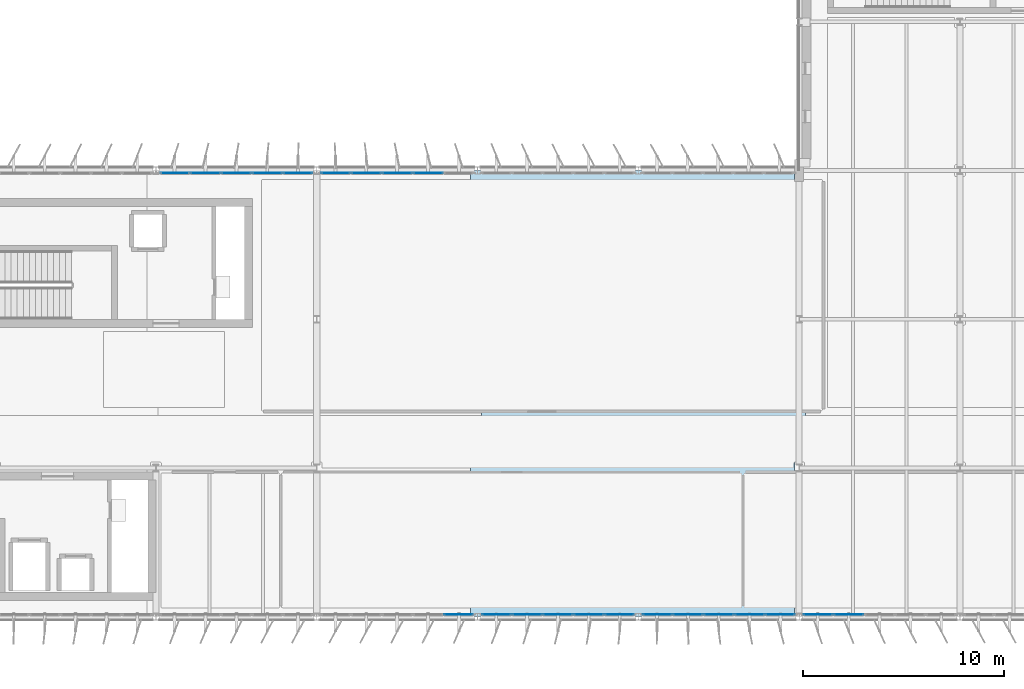
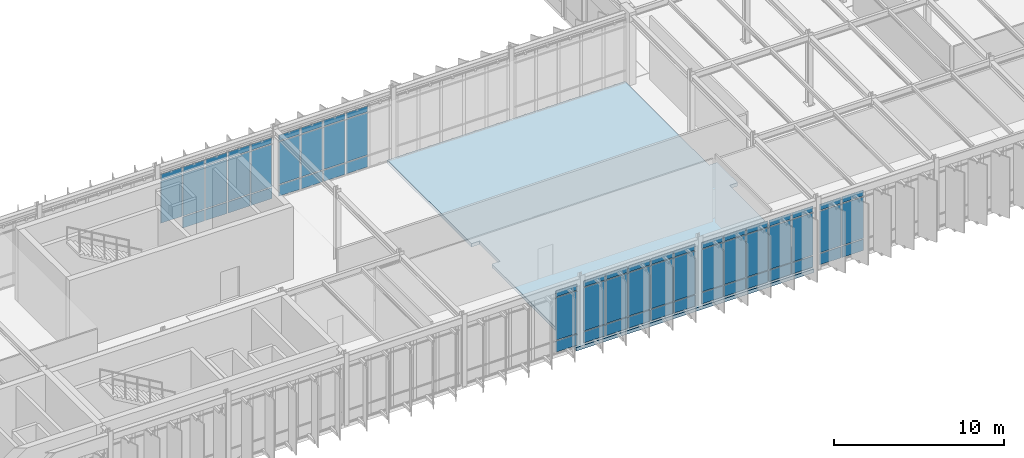
# One storey, part 29 of 48: 65 plates, 1 slab, 6 elements without a shape of their own.
"""IFC4 building model written with IfcOpenShell, lengths in metres."""

from ifc_helpers import new_model, si_unit, direction, frame, origin, origin_2d, place, context, subcontext, project, spatial, polyline, rectangle, outline, extrude, material, layer, layer_set, type_object, element, aggregate, save


model = new_model("IFC4")

# Units and contexts
model_context = context("Model", 3, precision=1e-05, world=origin(), true_north=direction((0.0, 1.0)))
body_context = subcontext(model_context, "Body", "Model", "MODEL_VIEW")
ifc_project = project(units=[si_unit("LENGTHUNIT", "METRE"), si_unit("AREAUNIT", "SQUARE_METRE"), si_unit("VOLUMEUNIT", "CUBIC_METRE"), si_unit("PLANEANGLEUNIT", "RADIAN"), si_unit("MASSUNIT", "GRAM", prefix="KILO")], contexts=[model_context])

# Site, building, storey
site_placement = place(None, origin())
site = spatial("IfcSite", under=ifc_project, at=site_placement, CompositionType="ELEMENT")
building_placement = place(site_placement, origin())
building = spatial("IfcBuilding", under=site, at=building_placement, Name="Valkorina Park Police Headquarters", CompositionType="ELEMENT")
storey_placement = place(building_placement, frame((0.0, 0.0, 18.10009765625)))
storey = spatial("IfcBuildingStorey", under=building, at=storey_placement, Name="L05", CompositionType="ELEMENT", Elevation=18.10009765625)

# Curtain wall, plates
ifc_material_1 = material(Name="Thermally broken aluminium AW-6060", Category="aluminium")
ifc_layer_1 = layer(ifc_material_1, 0.18994140625)
ifc_layer_set_1 = layer_set([ifc_layer_1], Name="Thermally broken aluminium AW-6060")
curtain_wall_type_1 = type_object("IfcCurtainWallType", Name="CW-V5-7680x4470", PredefinedType="NOTDEFINED", material=ifc_layer_set_1)
curtain_wall_1_placement = place(storey_placement, origin())
curtain_wall_1 = element("IfcCurtainWall", 1, at=curtain_wall_1_placement, inside=storey, type_object=curtain_wall_type_1, Name="L05 Unitised Curtain Wall 064", PredefinedType="NOTDEFINED")
ifc_layer_2 = layer(ifc_material_1, 0.050048828125)
ifc_layer_set_2 = layer_set([ifc_layer_2], Name="Thermally broken aluminium AW-6060")
plate_type_1 = type_object("IfcPlateType", Name="PL-CWP-SPANDREL-50", PredefinedType="CURTAIN_PANEL", material=ifc_layer_set_2)
plate_1_placement = place(storey_placement, frame((83.263916015625, 37.1201171875, 0.06982421875), z_axis=(0.0, 0.0, 1.0), x_axis=(-1.0, 0.0, 0.0)))
plate_1 = element("IfcPlate", 2, at=plate_1_placement, type_object=plate_type_1, Name="CW-V5-768-447 panel 4.1", PredefinedType="CURTAIN_PANEL", context=body_context, shape_type="SweptSolid", body=[
    extrude(rectangle(XDim=1.466064453125, YDim=0.028076171875, at=origin_2d()), origin(), (0.0, 0.0, 1.0), 0.794921875),
])
plate_2_placement = place(storey_placement, frame((81.74560546875, 37.1201171875, 0.06982421875), z_axis=(0.0, 0.0, 1.0), x_axis=(-1.0, 0.0, 0.0)))
plate_2 = element("IfcPlate", 3, at=plate_2_placement, type_object=plate_type_1, Name="CW-V5-768-447 panel 5.1", PredefinedType="CURTAIN_PANEL", context=body_context, shape_type="SweptSolid", body=[
    extrude(rectangle(XDim=1.430908203125, YDim=0.028076171875, at=origin_2d()), origin(), (0.0, 0.0, 1.0), 0.794921875),
])

ifc_layer_3 = layer(ifc_material_1, 0.18994140625)
ifc_layer_set_3 = layer_set([ifc_layer_3], Name="Thermally broken aluminium AW-6060")
curtain_wall_type_2 = type_object("IfcCurtainWallType", Name="CW-V5-7680x4520", PredefinedType="NOTDEFINED", material=ifc_layer_set_3)
curtain_wall_2_placement = place(storey_placement, origin())
curtain_wall_2 = element("IfcCurtainWall", 4, at=curtain_wall_2_placement, inside=storey, type_object=curtain_wall_type_2, Name="L05 Unitised Curtain Wall 065", PredefinedType="NOTDEFINED")
plate_3_placement = place(storey_placement, frame((79.8544921875, 37.1201171875, 0.06982421875), z_axis=(0.0, 0.0, 1.0), x_axis=(-1.0, 0.0, 0.0)))
plate_3 = element("IfcPlate", 5, at=plate_3_placement, type_object=plate_type_1, Name="CW-V5-768-452 panel 1.1", PredefinedType="CURTAIN_PANEL", context=body_context, shape_type="SweptSolid", body=[
    extrude(rectangle(XDim=1.430908203125, YDim=0.028076171875, at=origin_2d()), origin(), (0.0, 0.0, 1.0), 0.794921875),
])
plate_4_placement = place(storey_placement, frame((78.3359375, 37.1201171875, 0.06982421875), z_axis=(0.0, 0.0, 1.0), x_axis=(-1.0, 0.0, 0.0)))
plate_4 = element("IfcPlate", 6, at=plate_4_placement, type_object=plate_type_1, Name="CW-V5-768-452 panel 2.1", PredefinedType="CURTAIN_PANEL", context=body_context, shape_type="SweptSolid", body=[
    extrude(rectangle(XDim=1.466064453125, YDim=0.028076171875, at=origin_2d()), origin(), (0.0, 0.0, 1.0), 0.794921875),
])
plate_5_placement = place(storey_placement, frame((76.800048828125, 37.1201171875, 0.06982421875), z_axis=(0.0, 0.0, 1.0), x_axis=(-1.0, 0.0, 0.0)))
plate_5 = element("IfcPlate", 7, at=plate_5_placement, type_object=plate_type_1, Name="CW-V5-768-452 panel 3.1", PredefinedType="CURTAIN_PANEL", context=body_context, shape_type="SweptSolid", body=[
    extrude(rectangle(XDim=1.466064453125, YDim=0.028076171875, at=origin_2d()), origin(), (0.0, 0.0, 1.0), 0.794921875),
])
plate_6_placement = place(storey_placement, frame((75.263916015625, 37.1201171875, 0.06982421875), z_axis=(0.0, 0.0, 1.0), x_axis=(-1.0, 0.0, 0.0)))
plate_6 = element("IfcPlate", 8, at=plate_6_placement, type_object=plate_type_1, Name="CW-V5-768-452 panel 4.1", PredefinedType="CURTAIN_PANEL", context=body_context, shape_type="SweptSolid", body=[
    extrude(rectangle(XDim=1.466064453125, YDim=0.028076171875, at=origin_2d()), origin(), (0.0, 0.0, 1.0), 0.794921875),
])
plate_7_placement = place(storey_placement, frame((73.74560546875, 37.1201171875, 0.06982421875), z_axis=(0.0, 0.0, 1.0), x_axis=(-1.0, 0.0, 0.0)))
plate_7 = element("IfcPlate", 9, at=plate_7_placement, type_object=plate_type_1, Name="CW-V5-768-452 panel 5.1", PredefinedType="CURTAIN_PANEL", context=body_context, shape_type="SweptSolid", body=[
    extrude(rectangle(XDim=1.430908203125, YDim=0.028076171875, at=origin_2d()), origin(), (0.0, 0.0, 1.0), 0.794921875),
])

ifc_layer_4 = layer(ifc_material_1, 0.18994140625)
ifc_layer_set_4 = layer_set([ifc_layer_4], Name="Thermally broken aluminium AW-6060")
curtain_wall_type_3 = type_object("IfcCurtainWallType", Name="CW-V5-7680x4580", PredefinedType="NOTDEFINED", material=ifc_layer_set_4)
curtain_wall_3_placement = place(storey_placement, origin())
curtain_wall_3 = element("IfcCurtainWall", 10, at=curtain_wall_3_placement, inside=storey, type_object=curtain_wall_type_3, Name="L05 Unitised Curtain Wall 066", PredefinedType="NOTDEFINED")
plate_8_placement = place(storey_placement, frame((71.8544921875, 37.1201171875, 0.06982421875), z_axis=(0.0, 0.0, 1.0), x_axis=(-1.0, 0.0, 0.0)))
plate_8 = element("IfcPlate", 11, at=plate_8_placement, type_object=plate_type_1, Name="CW-V5-768-458 panel 1.1", PredefinedType="CURTAIN_PANEL", context=body_context, shape_type="SweptSolid", body=[
    extrude(rectangle(XDim=1.430908203125, YDim=0.028076171875, at=origin_2d()), origin(), (0.0, 0.0, 1.0), 0.794921875),
])
plate_9_placement = place(storey_placement, frame((70.3359375, 37.1201171875, 0.06982421875), z_axis=(0.0, 0.0, 1.0), x_axis=(-1.0, 0.0, 0.0)))
plate_9 = element("IfcPlate", 12, at=plate_9_placement, type_object=plate_type_1, Name="CW-V5-768-458 panel 2.1", PredefinedType="CURTAIN_PANEL", context=body_context, shape_type="SweptSolid", body=[
    extrude(rectangle(XDim=1.466064453125, YDim=0.028076171875, at=origin_2d()), origin(), (0.0, 0.0, 1.0), 0.794921875),
])
plate_10_placement = place(storey_placement, frame((68.800048828125, 37.1201171875, 0.06982421875), z_axis=(0.0, 0.0, 1.0), x_axis=(-1.0, 0.0, 0.0)))
plate_10 = element("IfcPlate", 13, at=plate_10_placement, type_object=plate_type_1, Name="CW-V5-768-458 panel 3.1", PredefinedType="CURTAIN_PANEL", context=body_context, shape_type="SweptSolid", body=[
    extrude(rectangle(XDim=1.466064453125, YDim=0.028076171875, at=origin_2d()), origin(), (0.0, 0.0, 1.0), 0.794921875),
])
plate_11_placement = place(storey_placement, frame((67.263916015625, 37.1201171875, 0.06982421875), z_axis=(0.0, 0.0, 1.0), x_axis=(-1.0, 0.0, 0.0)))
plate_11 = element("IfcPlate", 14, at=plate_11_placement, type_object=plate_type_1, Name="CW-V5-768-458 panel 4.1", PredefinedType="CURTAIN_PANEL", context=body_context, shape_type="SweptSolid", body=[
    extrude(rectangle(XDim=1.466064453125, YDim=0.028076171875, at=origin_2d()), origin(), (0.0, 0.0, 1.0), 0.794921875),
])
plate_12_placement = place(storey_placement, frame((65.74560546875, 37.1201171875, 0.06982421875), z_axis=(0.0, 0.0, 1.0), x_axis=(-1.0, 0.0, 0.0)))
plate_12 = element("IfcPlate", 15, at=plate_12_placement, type_object=plate_type_1, Name="CW-V5-768-458 panel 5.1", PredefinedType="CURTAIN_PANEL", context=body_context, shape_type="SweptSolid", body=[
    extrude(rectangle(XDim=1.430908203125, YDim=0.028076171875, at=origin_2d()), origin(), (0.0, 0.0, 1.0), 0.794921875),
])

# Curtain wall, plate
curtain_wall_4_placement = place(storey_placement, origin())
curtain_wall_4 = element("IfcCurtainWall", 16, at=curtain_wall_4_placement, inside=storey, type_object=curtain_wall_type_2, Name="L05 Unitised Curtain Wall 067", PredefinedType="NOTDEFINED")
plate_13_placement = place(storey_placement, frame((63.8544921875, 37.1201171875, 0.06982421875), z_axis=(0.0, 0.0, 1.0), x_axis=(-1.0, 0.0, 0.0)))
plate_13 = element("IfcPlate", 17, at=plate_13_placement, type_object=plate_type_1, Name="CW-V5-768-452 panel 1.1", PredefinedType="CURTAIN_PANEL", context=body_context, shape_type="SweptSolid", body=[
    extrude(rectangle(XDim=1.430908203125, YDim=0.028076171875, at=origin_2d()), origin(), (0.0, 0.0, 1.0), 0.794921875),
])

# Curtain wall, plates
curtain_wall_5_placement = place(storey_placement, origin())
curtain_wall_5 = element("IfcCurtainWall", 18, at=curtain_wall_5_placement, inside=storey, type_object=curtain_wall_type_2, Name="L05 Unitised Curtain Wall 084", PredefinedType="NOTDEFINED")
plate_14_placement = place(storey_placement, frame((51.263916015625, 59.080078125, 0.06982421875), z_axis=(0.0, 0.0, 1.0), x_axis=(1.0, 0.0, 0.0)))
plate_14 = element("IfcPlate", 19, at=plate_14_placement, type_object=plate_type_1, Name="CW-V5-768-452 panel 2.1", PredefinedType="CURTAIN_PANEL", context=body_context, shape_type="SweptSolid", body=[
    extrude(rectangle(XDim=1.466064453125, YDim=0.028076171875, at=origin_2d()), origin(), (0.0, 0.0, 1.0), 0.794921875),
])
plate_15_placement = place(storey_placement, frame((52.800048828125, 59.080078125, 0.06982421875), z_axis=(0.0, 0.0, 1.0), x_axis=(1.0, 0.0, 0.0)))
plate_15 = element("IfcPlate", 20, at=plate_15_placement, type_object=plate_type_1, Name="CW-V5-768-452 panel 3.1", PredefinedType="CURTAIN_PANEL", context=body_context, shape_type="SweptSolid", body=[
    extrude(rectangle(XDim=1.466064453125, YDim=0.028076171875, at=origin_2d()), origin(), (0.0, 0.0, 1.0), 0.794921875),
])
plate_16_placement = place(storey_placement, frame((54.3359375, 59.080078125, 0.06982421875), z_axis=(0.0, 0.0, 1.0), x_axis=(1.0, 0.0, 0.0)))
plate_16 = element("IfcPlate", 21, at=plate_16_placement, type_object=plate_type_1, Name="CW-V5-768-452 panel 4.1", PredefinedType="CURTAIN_PANEL", context=body_context, shape_type="SweptSolid", body=[
    extrude(rectangle(XDim=1.466064453125, YDim=0.028076171875, at=origin_2d()), origin(), (0.0, 0.0, 1.0), 0.794921875),
])
plate_17_placement = place(storey_placement, frame((55.8544921875, 59.080078125, 0.06982421875), z_axis=(0.0, 0.0, 1.0), x_axis=(1.0, 0.0, 0.0)))
plate_17 = element("IfcPlate", 22, at=plate_17_placement, type_object=plate_type_1, Name="CW-V5-768-452 panel 5.1", PredefinedType="CURTAIN_PANEL", context=body_context, shape_type="SweptSolid", body=[
    extrude(rectangle(XDim=1.430908203125, YDim=0.028076171875, at=origin_2d()), origin(), (0.0, 0.0, 1.0), 0.794921875),
])

curtain_wall_6_placement = place(storey_placement, origin())
curtain_wall_6 = element("IfcCurtainWall", 23, at=curtain_wall_6_placement, inside=storey, type_object=curtain_wall_type_2, Name="L05 Unitised Curtain Wall 085", PredefinedType="NOTDEFINED")
plate_18_placement = place(storey_placement, frame((57.74560546875, 59.080078125, 0.06982421875), z_axis=(0.0, 0.0, 1.0), x_axis=(1.0, 0.0, 0.0)))
plate_18 = element("IfcPlate", 24, at=plate_18_placement, type_object=plate_type_1, Name="CW-V5-768-452 panel 1.1", PredefinedType="CURTAIN_PANEL", context=body_context, shape_type="SweptSolid", body=[
    extrude(rectangle(XDim=1.430908203125, YDim=0.028076171875, at=origin_2d()), origin(), (0.0, 0.0, 1.0), 0.794921875),
])
plate_19_placement = place(storey_placement, frame((59.263916015625, 59.080078125, 0.06982421875), z_axis=(0.0, 0.0, 1.0), x_axis=(1.0, 0.0, 0.0)))
plate_19 = element("IfcPlate", 25, at=plate_19_placement, type_object=plate_type_1, Name="CW-V5-768-452 panel 2.1", PredefinedType="CURTAIN_PANEL", context=body_context, shape_type="SweptSolid", body=[
    extrude(rectangle(XDim=1.466064453125, YDim=0.028076171875, at=origin_2d()), origin(), (0.0, 0.0, 1.0), 0.794921875),
])
plate_20_placement = place(storey_placement, frame((60.800048828125, 59.080078125, 0.06982421875), z_axis=(0.0, 0.0, 1.0), x_axis=(1.0, 0.0, 0.0)))
plate_20 = element("IfcPlate", 26, at=plate_20_placement, type_object=plate_type_1, Name="CW-V5-768-452 panel 3.1", PredefinedType="CURTAIN_PANEL", context=body_context, shape_type="SweptSolid", body=[
    extrude(rectangle(XDim=1.466064453125, YDim=0.028076171875, at=origin_2d()), origin(), (0.0, 0.0, 1.0), 0.794921875),
])
plate_21_placement = place(storey_placement, frame((62.3359375, 59.080078125, 0.06982421875), z_axis=(0.0, 0.0, 1.0), x_axis=(1.0, 0.0, 0.0)))
plate_21 = element("IfcPlate", 27, at=plate_21_placement, type_object=plate_type_1, Name="CW-V5-768-452 panel 4.1", PredefinedType="CURTAIN_PANEL", context=body_context, shape_type="SweptSolid", body=[
    extrude(rectangle(XDim=1.466064453125, YDim=0.028076171875, at=origin_2d()), origin(), (0.0, 0.0, 1.0), 0.794921875),
])

# Plate
ifc_material_2 = material(Name="Triple low-E insulated glazing", Category="glass")
ifc_layer_5 = layer(ifc_material_2, 0.028076171875)
ifc_layer_set_5 = layer_set([ifc_layer_5], Name="Triple low-E insulated glazing")
plate_type_2 = type_object("IfcPlateType", Name="PL-CWP-VISION-28", PredefinedType="CURTAIN_PANEL", material=ifc_layer_set_5)
plate_22_placement = place(storey_placement, frame((83.263916015625, 37.1201171875, 0.934814453125), z_axis=(0.0, 0.0, 1.0), x_axis=(-1.0, 0.0, 0.0)))
plate_22 = element("IfcPlate", 28, at=plate_22_placement, type_object=plate_type_2, Name="CW-V5-768-447 panel 4.2", PredefinedType="CURTAIN_PANEL", context=body_context, shape_type="SweptSolid", body=[
    extrude(rectangle(XDim=1.466064453125, YDim=0.028076171875, at=origin_2d()), origin(), (0.0, 0.0, 1.0), 2.97998046875),
])

plate_23_placement = place(storey_placement, frame((83.263916015625, 37.1201171875, 3.98486328125), z_axis=(0.0, 0.0, 1.0), x_axis=(-1.0, 0.0, 0.0)))
plate_23 = element("IfcPlate", 29, at=plate_23_placement, type_object=plate_type_2, Name="CW-V5-768-447 panel 4.3", PredefinedType="CURTAIN_PANEL", context=body_context, shape_type="SweptSolid", body=[
    extrude(rectangle(XDim=1.466064453125, YDim=0.028076171875, at=origin_2d()), origin(), (0.0, 0.0, 1.0), 0.4150390625),
])

plate_24_placement = place(storey_placement, frame((81.74560546875, 37.1201171875, 0.934814453125), z_axis=(0.0, 0.0, 1.0), x_axis=(-1.0, 0.0, 0.0)))
plate_24 = element("IfcPlate", 30, at=plate_24_placement, type_object=plate_type_2, Name="CW-V5-768-447 panel 5.2", PredefinedType="CURTAIN_PANEL", context=body_context, shape_type="SweptSolid", body=[
    extrude(rectangle(XDim=1.430908203125, YDim=0.028076171875, at=origin_2d()), origin(), (0.0, 0.0, 1.0), 2.97998046875),
])

plate_25_placement = place(storey_placement, frame((81.74560546875, 37.1201171875, 3.98486328125), z_axis=(0.0, 0.0, 1.0), x_axis=(-1.0, 0.0, 0.0)))
plate_25 = element("IfcPlate", 31, at=plate_25_placement, type_object=plate_type_2, Name="CW-V5-768-447 panel 5.3", PredefinedType="CURTAIN_PANEL", context=body_context, shape_type="SweptSolid", body=[
    extrude(rectangle(XDim=1.430908203125, YDim=0.028076171875, at=origin_2d()), origin(), (0.0, 0.0, 1.0), 0.4150390625),
])

aggregate(curtain_wall_1, [plate_1, plate_22, plate_23, plate_2, plate_24, plate_25])

plate_26_placement = place(storey_placement, frame((79.8544921875, 37.1201171875, 0.93505859375), z_axis=(0.0, 0.0, 1.0), x_axis=(-1.0, 0.0, 0.0)))
plate_26 = element("IfcPlate", 32, at=plate_26_placement, type_object=plate_type_2, Name="CW-V5-768-452 panel 1.2", PredefinedType="CURTAIN_PANEL", context=body_context, shape_type="SweptSolid", body=[
    extrude(rectangle(XDim=1.430908203125, YDim=0.028076171875, at=origin_2d()), origin(), (0.0, 0.0, 1.0), 3.030029296875),
])

plate_27_placement = place(storey_placement, frame((79.8544921875, 37.1201171875, 4.034912109375), z_axis=(0.0, 0.0, 1.0), x_axis=(-1.0, 0.0, 0.0)))
plate_27 = element("IfcPlate", 33, at=plate_27_placement, type_object=plate_type_2, Name="CW-V5-768-452 panel 1.3", PredefinedType="CURTAIN_PANEL", context=body_context, shape_type="SweptSolid", body=[
    extrude(rectangle(XDim=1.430908203125, YDim=0.028076171875, at=origin_2d()), origin(), (0.0, 0.0, 1.0), 0.4150390625),
])

plate_28_placement = place(storey_placement, frame((78.3359375, 37.1201171875, 0.93505859375), z_axis=(0.0, 0.0, 1.0), x_axis=(-1.0, 0.0, 0.0)))
plate_28 = element("IfcPlate", 34, at=plate_28_placement, type_object=plate_type_2, Name="CW-V5-768-452 panel 2.2", PredefinedType="CURTAIN_PANEL", context=body_context, shape_type="SweptSolid", body=[
    extrude(rectangle(XDim=1.466064453125, YDim=0.028076171875, at=origin_2d()), origin(), (0.0, 0.0, 1.0), 3.030029296875),
])

plate_29_placement = place(storey_placement, frame((78.3359375, 37.1201171875, 4.034912109375), z_axis=(0.0, 0.0, 1.0), x_axis=(-1.0, 0.0, 0.0)))
plate_29 = element("IfcPlate", 35, at=plate_29_placement, type_object=plate_type_2, Name="CW-V5-768-452 panel 2.3", PredefinedType="CURTAIN_PANEL", context=body_context, shape_type="SweptSolid", body=[
    extrude(rectangle(XDim=1.466064453125, YDim=0.028076171875, at=origin_2d()), origin(), (0.0, 0.0, 1.0), 0.4150390625),
])

plate_30_placement = place(storey_placement, frame((76.800048828125, 37.1201171875, 0.93505859375), z_axis=(0.0, 0.0, 1.0), x_axis=(-1.0, 0.0, 0.0)))
plate_30 = element("IfcPlate", 36, at=plate_30_placement, type_object=plate_type_2, Name="CW-V5-768-452 panel 3.2", PredefinedType="CURTAIN_PANEL", context=body_context, shape_type="SweptSolid", body=[
    extrude(rectangle(XDim=1.466064453125, YDim=0.028076171875, at=origin_2d()), origin(), (0.0, 0.0, 1.0), 3.030029296875),
])

plate_31_placement = place(storey_placement, frame((76.800048828125, 37.1201171875, 4.034912109375), z_axis=(0.0, 0.0, 1.0), x_axis=(-1.0, 0.0, 0.0)))
plate_31 = element("IfcPlate", 37, at=plate_31_placement, type_object=plate_type_2, Name="CW-V5-768-452 panel 3.3", PredefinedType="CURTAIN_PANEL", context=body_context, shape_type="SweptSolid", body=[
    extrude(rectangle(XDim=1.466064453125, YDim=0.028076171875, at=origin_2d()), origin(), (0.0, 0.0, 1.0), 0.4150390625),
])

plate_32_placement = place(storey_placement, frame((75.263916015625, 37.1201171875, 0.93505859375), z_axis=(0.0, 0.0, 1.0), x_axis=(-1.0, 0.0, 0.0)))
plate_32 = element("IfcPlate", 38, at=plate_32_placement, type_object=plate_type_2, Name="CW-V5-768-452 panel 4.2", PredefinedType="CURTAIN_PANEL", context=body_context, shape_type="SweptSolid", body=[
    extrude(rectangle(XDim=1.466064453125, YDim=0.028076171875, at=origin_2d()), origin(), (0.0, 0.0, 1.0), 3.030029296875),
])

plate_33_placement = place(storey_placement, frame((75.263916015625, 37.1201171875, 4.034912109375), z_axis=(0.0, 0.0, 1.0), x_axis=(-1.0, 0.0, 0.0)))
plate_33 = element("IfcPlate", 39, at=plate_33_placement, type_object=plate_type_2, Name="CW-V5-768-452 panel 4.3", PredefinedType="CURTAIN_PANEL", context=body_context, shape_type="SweptSolid", body=[
    extrude(rectangle(XDim=1.466064453125, YDim=0.028076171875, at=origin_2d()), origin(), (0.0, 0.0, 1.0), 0.4150390625),
])

plate_34_placement = place(storey_placement, frame((73.74560546875, 37.1201171875, 0.93505859375), z_axis=(0.0, 0.0, 1.0), x_axis=(-1.0, 0.0, 0.0)))
plate_34 = element("IfcPlate", 40, at=plate_34_placement, type_object=plate_type_2, Name="CW-V5-768-452 panel 5.2", PredefinedType="CURTAIN_PANEL", context=body_context, shape_type="SweptSolid", body=[
    extrude(rectangle(XDim=1.430908203125, YDim=0.028076171875, at=origin_2d()), origin(), (0.0, 0.0, 1.0), 3.030029296875),
])

plate_35_placement = place(storey_placement, frame((73.74560546875, 37.1201171875, 4.034912109375), z_axis=(0.0, 0.0, 1.0), x_axis=(-1.0, 0.0, 0.0)))
plate_35 = element("IfcPlate", 41, at=plate_35_placement, type_object=plate_type_2, Name="CW-V5-768-452 panel 5.3", PredefinedType="CURTAIN_PANEL", context=body_context, shape_type="SweptSolid", body=[
    extrude(rectangle(XDim=1.430908203125, YDim=0.028076171875, at=origin_2d()), origin(), (0.0, 0.0, 1.0), 0.4150390625),
])

aggregate(curtain_wall_2, [plate_3, plate_26, plate_27, plate_4, plate_28, plate_29, plate_5, plate_30, plate_31, plate_6, plate_32, plate_33, plate_7, plate_34, plate_35])

plate_36_placement = place(storey_placement, frame((71.8544921875, 37.1201171875, 0.93505859375), z_axis=(0.0, 0.0, 1.0), x_axis=(-1.0, 0.0, 0.0)))
plate_36 = element("IfcPlate", 42, at=plate_36_placement, type_object=plate_type_2, Name="CW-V5-768-458 panel 1.2", PredefinedType="CURTAIN_PANEL", context=body_context, shape_type="SweptSolid", body=[
    extrude(rectangle(XDim=1.430908203125, YDim=0.028076171875, at=origin_2d()), origin(), (0.0, 0.0, 1.0), 3.090087890625),
])

plate_37_placement = place(storey_placement, frame((71.8544921875, 37.1201171875, 4.094970703125), z_axis=(0.0, 0.0, 1.0), x_axis=(-1.0, 0.0, 0.0)))
plate_37 = element("IfcPlate", 43, at=plate_37_placement, type_object=plate_type_2, Name="CW-V5-768-458 panel 1.3", PredefinedType="CURTAIN_PANEL", context=body_context, shape_type="SweptSolid", body=[
    extrude(rectangle(XDim=1.430908203125, YDim=0.028076171875, at=origin_2d()), origin(), (0.0, 0.0, 1.0), 0.4150390625),
])

plate_38_placement = place(storey_placement, frame((70.3359375, 37.1201171875, 0.93505859375), z_axis=(0.0, 0.0, 1.0), x_axis=(-1.0, 0.0, 0.0)))
plate_38 = element("IfcPlate", 44, at=plate_38_placement, type_object=plate_type_2, Name="CW-V5-768-458 panel 2.2", PredefinedType="CURTAIN_PANEL", context=body_context, shape_type="SweptSolid", body=[
    extrude(rectangle(XDim=1.466064453125, YDim=0.028076171875, at=origin_2d()), origin(), (0.0, 0.0, 1.0), 3.090087890625),
])

plate_39_placement = place(storey_placement, frame((70.3359375, 37.1201171875, 4.094970703125), z_axis=(0.0, 0.0, 1.0), x_axis=(-1.0, 0.0, 0.0)))
plate_39 = element("IfcPlate", 45, at=plate_39_placement, type_object=plate_type_2, Name="CW-V5-768-458 panel 2.3", PredefinedType="CURTAIN_PANEL", context=body_context, shape_type="SweptSolid", body=[
    extrude(rectangle(XDim=1.466064453125, YDim=0.028076171875, at=origin_2d()), origin(), (0.0, 0.0, 1.0), 0.4150390625),
])

plate_40_placement = place(storey_placement, frame((68.800048828125, 37.1201171875, 0.93505859375), z_axis=(0.0, 0.0, 1.0), x_axis=(-1.0, 0.0, 0.0)))
plate_40 = element("IfcPlate", 46, at=plate_40_placement, type_object=plate_type_2, Name="CW-V5-768-458 panel 3.2", PredefinedType="CURTAIN_PANEL", context=body_context, shape_type="SweptSolid", body=[
    extrude(rectangle(XDim=1.466064453125, YDim=0.028076171875, at=origin_2d()), origin(), (0.0, 0.0, 1.0), 3.090087890625),
])

plate_41_placement = place(storey_placement, frame((68.800048828125, 37.1201171875, 4.094970703125), z_axis=(0.0, 0.0, 1.0), x_axis=(-1.0, 0.0, 0.0)))
plate_41 = element("IfcPlate", 47, at=plate_41_placement, type_object=plate_type_2, Name="CW-V5-768-458 panel 3.3", PredefinedType="CURTAIN_PANEL", context=body_context, shape_type="SweptSolid", body=[
    extrude(rectangle(XDim=1.466064453125, YDim=0.028076171875, at=origin_2d()), origin(), (0.0, 0.0, 1.0), 0.4150390625),
])

plate_42_placement = place(storey_placement, frame((67.263916015625, 37.1201171875, 0.93505859375), z_axis=(0.0, 0.0, 1.0), x_axis=(-1.0, 0.0, 0.0)))
plate_42 = element("IfcPlate", 48, at=plate_42_placement, type_object=plate_type_2, Name="CW-V5-768-458 panel 4.2", PredefinedType="CURTAIN_PANEL", context=body_context, shape_type="SweptSolid", body=[
    extrude(rectangle(XDim=1.466064453125, YDim=0.028076171875, at=origin_2d()), origin(), (0.0, 0.0, 1.0), 3.090087890625),
])

plate_43_placement = place(storey_placement, frame((67.263916015625, 37.1201171875, 4.094970703125), z_axis=(0.0, 0.0, 1.0), x_axis=(-1.0, 0.0, 0.0)))
plate_43 = element("IfcPlate", 49, at=plate_43_placement, type_object=plate_type_2, Name="CW-V5-768-458 panel 4.3", PredefinedType="CURTAIN_PANEL", context=body_context, shape_type="SweptSolid", body=[
    extrude(rectangle(XDim=1.466064453125, YDim=0.028076171875, at=origin_2d()), origin(), (0.0, 0.0, 1.0), 0.4150390625),
])

plate_44_placement = place(storey_placement, frame((65.74560546875, 37.1201171875, 0.93505859375), z_axis=(0.0, 0.0, 1.0), x_axis=(-1.0, 0.0, 0.0)))
plate_44 = element("IfcPlate", 50, at=plate_44_placement, type_object=plate_type_2, Name="CW-V5-768-458 panel 5.2", PredefinedType="CURTAIN_PANEL", context=body_context, shape_type="SweptSolid", body=[
    extrude(rectangle(XDim=1.430908203125, YDim=0.028076171875, at=origin_2d()), origin(), (0.0, 0.0, 1.0), 3.090087890625),
])

plate_45_placement = place(storey_placement, frame((65.74560546875, 37.1201171875, 4.094970703125), z_axis=(0.0, 0.0, 1.0), x_axis=(-1.0, 0.0, 0.0)))
plate_45 = element("IfcPlate", 51, at=plate_45_placement, type_object=plate_type_2, Name="CW-V5-768-458 panel 5.3", PredefinedType="CURTAIN_PANEL", context=body_context, shape_type="SweptSolid", body=[
    extrude(rectangle(XDim=1.430908203125, YDim=0.028076171875, at=origin_2d()), origin(), (0.0, 0.0, 1.0), 0.4150390625),
])

aggregate(curtain_wall_3, [plate_8, plate_36, plate_37, plate_9, plate_38, plate_39, plate_10, plate_40, plate_41, plate_11, plate_42, plate_43, plate_12, plate_44, plate_45])

plate_46_placement = place(storey_placement, frame((63.8544921875, 37.1201171875, 0.93505859375), z_axis=(0.0, 0.0, 1.0), x_axis=(-1.0, 0.0, 0.0)))
plate_46 = element("IfcPlate", 52, at=plate_46_placement, type_object=plate_type_2, Name="CW-V5-768-452 panel 1.2", PredefinedType="CURTAIN_PANEL", context=body_context, shape_type="SweptSolid", body=[
    extrude(rectangle(XDim=1.430908203125, YDim=0.028076171875, at=origin_2d()), origin(), (0.0, 0.0, 1.0), 3.030029296875),
])

plate_47_placement = place(storey_placement, frame((63.8544921875, 37.1201171875, 4.034912109375), z_axis=(0.0, 0.0, 1.0), x_axis=(-1.0, 0.0, 0.0)))
plate_47 = element("IfcPlate", 53, at=plate_47_placement, type_object=plate_type_2, Name="CW-V5-768-452 panel 1.3", PredefinedType="CURTAIN_PANEL", context=body_context, shape_type="SweptSolid", body=[
    extrude(rectangle(XDim=1.430908203125, YDim=0.028076171875, at=origin_2d()), origin(), (0.0, 0.0, 1.0), 0.4150390625),
])

aggregate(curtain_wall_4, [plate_13, plate_46, plate_47])

plate_48_placement = place(storey_placement, frame((49.74560546875, 59.080078125, 0.93505859375), z_axis=(0.0, 0.0, 1.0), x_axis=(1.0, 0.0, 0.0)))
plate_48 = element("IfcPlate", 54, at=plate_48_placement, type_object=plate_type_2, Name="CW-V5-768-452 panel 1.2", PredefinedType="CURTAIN_PANEL", context=body_context, shape_type="SweptSolid", body=[
    extrude(rectangle(XDim=1.430908203125, YDim=0.028076171875, at=origin_2d()), origin(), (0.0, 0.0, 1.0), 3.030029296875),
])

plate_49_placement = place(storey_placement, frame((49.74560546875, 59.080078125, 4.034912109375), z_axis=(0.0, 0.0, 1.0), x_axis=(1.0, 0.0, 0.0)))
plate_49 = element("IfcPlate", 55, at=plate_49_placement, type_object=plate_type_2, Name="CW-V5-768-452 panel 1.3", PredefinedType="CURTAIN_PANEL", context=body_context, shape_type="SweptSolid", body=[
    extrude(rectangle(XDim=1.430908203125, YDim=0.028076171875, at=origin_2d()), origin(), (0.0, 0.0, 1.0), 0.4150390625),
])

plate_50_placement = place(storey_placement, frame((51.263916015625, 59.080078125, 0.93505859375), z_axis=(0.0, 0.0, 1.0), x_axis=(1.0, 0.0, 0.0)))
plate_50 = element("IfcPlate", 56, at=plate_50_placement, type_object=plate_type_2, Name="CW-V5-768-452 panel 2.2", PredefinedType="CURTAIN_PANEL", context=body_context, shape_type="SweptSolid", body=[
    extrude(rectangle(XDim=1.466064453125, YDim=0.028076171875, at=origin_2d()), origin(), (0.0, 0.0, 1.0), 3.030029296875),
])

plate_51_placement = place(storey_placement, frame((51.263916015625, 59.080078125, 4.034912109375), z_axis=(0.0, 0.0, 1.0), x_axis=(1.0, 0.0, 0.0)))
plate_51 = element("IfcPlate", 57, at=plate_51_placement, type_object=plate_type_2, Name="CW-V5-768-452 panel 2.3", PredefinedType="CURTAIN_PANEL", context=body_context, shape_type="SweptSolid", body=[
    extrude(rectangle(XDim=1.466064453125, YDim=0.028076171875, at=origin_2d()), origin(), (0.0, 0.0, 1.0), 0.4150390625),
])

plate_52_placement = place(storey_placement, frame((52.800048828125, 59.080078125, 0.93505859375), z_axis=(0.0, 0.0, 1.0), x_axis=(1.0, 0.0, 0.0)))
plate_52 = element("IfcPlate", 58, at=plate_52_placement, type_object=plate_type_2, Name="CW-V5-768-452 panel 3.2", PredefinedType="CURTAIN_PANEL", context=body_context, shape_type="SweptSolid", body=[
    extrude(rectangle(XDim=1.466064453125, YDim=0.028076171875, at=origin_2d()), origin(), (0.0, 0.0, 1.0), 3.030029296875),
])

plate_53_placement = place(storey_placement, frame((52.800048828125, 59.080078125, 4.034912109375), z_axis=(0.0, 0.0, 1.0), x_axis=(1.0, 0.0, 0.0)))
plate_53 = element("IfcPlate", 59, at=plate_53_placement, type_object=plate_type_2, Name="CW-V5-768-452 panel 3.3", PredefinedType="CURTAIN_PANEL", context=body_context, shape_type="SweptSolid", body=[
    extrude(rectangle(XDim=1.466064453125, YDim=0.028076171875, at=origin_2d()), origin(), (0.0, 0.0, 1.0), 0.4150390625),
])

plate_54_placement = place(storey_placement, frame((54.3359375, 59.080078125, 0.93505859375), z_axis=(0.0, 0.0, 1.0), x_axis=(1.0, 0.0, 0.0)))
plate_54 = element("IfcPlate", 60, at=plate_54_placement, type_object=plate_type_2, Name="CW-V5-768-452 panel 4.2", PredefinedType="CURTAIN_PANEL", context=body_context, shape_type="SweptSolid", body=[
    extrude(rectangle(XDim=1.466064453125, YDim=0.028076171875, at=origin_2d()), origin(), (0.0, 0.0, 1.0), 3.030029296875),
])

plate_55_placement = place(storey_placement, frame((54.3359375, 59.080078125, 4.034912109375), z_axis=(0.0, 0.0, 1.0), x_axis=(1.0, 0.0, 0.0)))
plate_55 = element("IfcPlate", 61, at=plate_55_placement, type_object=plate_type_2, Name="CW-V5-768-452 panel 4.3", PredefinedType="CURTAIN_PANEL", context=body_context, shape_type="SweptSolid", body=[
    extrude(rectangle(XDim=1.466064453125, YDim=0.028076171875, at=origin_2d()), origin(), (0.0, 0.0, 1.0), 0.4150390625),
])

plate_56_placement = place(storey_placement, frame((55.8544921875, 59.080078125, 0.93505859375), z_axis=(0.0, 0.0, 1.0), x_axis=(1.0, 0.0, 0.0)))
plate_56 = element("IfcPlate", 62, at=plate_56_placement, type_object=plate_type_2, Name="CW-V5-768-452 panel 5.2", PredefinedType="CURTAIN_PANEL", context=body_context, shape_type="SweptSolid", body=[
    extrude(rectangle(XDim=1.430908203125, YDim=0.028076171875, at=origin_2d()), origin(), (0.0, 0.0, 1.0), 3.030029296875),
])

plate_57_placement = place(storey_placement, frame((55.8544921875, 59.080078125, 4.034912109375), z_axis=(0.0, 0.0, 1.0), x_axis=(1.0, 0.0, 0.0)))
plate_57 = element("IfcPlate", 63, at=plate_57_placement, type_object=plate_type_2, Name="CW-V5-768-452 panel 5.3", PredefinedType="CURTAIN_PANEL", context=body_context, shape_type="SweptSolid", body=[
    extrude(rectangle(XDim=1.430908203125, YDim=0.028076171875, at=origin_2d()), origin(), (0.0, 0.0, 1.0), 0.4150390625),
])

aggregate(curtain_wall_5, [plate_48, plate_49, plate_14, plate_50, plate_51, plate_15, plate_52, plate_53, plate_16, plate_54, plate_55, plate_17, plate_56, plate_57])

plate_58_placement = place(storey_placement, frame((57.74560546875, 59.080078125, 0.93505859375), z_axis=(0.0, 0.0, 1.0), x_axis=(1.0, 0.0, 0.0)))
plate_58 = element("IfcPlate", 64, at=plate_58_placement, type_object=plate_type_2, Name="CW-V5-768-452 panel 1.2", PredefinedType="CURTAIN_PANEL", context=body_context, shape_type="SweptSolid", body=[
    extrude(rectangle(XDim=1.430908203125, YDim=0.028076171875, at=origin_2d()), origin(), (0.0, 0.0, 1.0), 3.030029296875),
])

plate_59_placement = place(storey_placement, frame((57.74560546875, 59.080078125, 4.034912109375), z_axis=(0.0, 0.0, 1.0), x_axis=(1.0, 0.0, 0.0)))
plate_59 = element("IfcPlate", 65, at=plate_59_placement, type_object=plate_type_2, Name="CW-V5-768-452 panel 1.3", PredefinedType="CURTAIN_PANEL", context=body_context, shape_type="SweptSolid", body=[
    extrude(rectangle(XDim=1.430908203125, YDim=0.028076171875, at=origin_2d()), origin(), (0.0, 0.0, 1.0), 0.4150390625),
])

plate_60_placement = place(storey_placement, frame((59.263916015625, 59.080078125, 0.93505859375), z_axis=(0.0, 0.0, 1.0), x_axis=(1.0, 0.0, 0.0)))
plate_60 = element("IfcPlate", 66, at=plate_60_placement, type_object=plate_type_2, Name="CW-V5-768-452 panel 2.2", PredefinedType="CURTAIN_PANEL", context=body_context, shape_type="SweptSolid", body=[
    extrude(rectangle(XDim=1.466064453125, YDim=0.028076171875, at=origin_2d()), origin(), (0.0, 0.0, 1.0), 3.030029296875),
])

plate_61_placement = place(storey_placement, frame((59.263916015625, 59.080078125, 4.034912109375), z_axis=(0.0, 0.0, 1.0), x_axis=(1.0, 0.0, 0.0)))
plate_61 = element("IfcPlate", 67, at=plate_61_placement, type_object=plate_type_2, Name="CW-V5-768-452 panel 2.3", PredefinedType="CURTAIN_PANEL", context=body_context, shape_type="SweptSolid", body=[
    extrude(rectangle(XDim=1.466064453125, YDim=0.028076171875, at=origin_2d()), origin(), (0.0, 0.0, 1.0), 0.4150390625),
])

plate_62_placement = place(storey_placement, frame((60.800048828125, 59.080078125, 0.93505859375), z_axis=(0.0, 0.0, 1.0), x_axis=(1.0, 0.0, 0.0)))
plate_62 = element("IfcPlate", 68, at=plate_62_placement, type_object=plate_type_2, Name="CW-V5-768-452 panel 3.2", PredefinedType="CURTAIN_PANEL", context=body_context, shape_type="SweptSolid", body=[
    extrude(rectangle(XDim=1.466064453125, YDim=0.028076171875, at=origin_2d()), origin(), (0.0, 0.0, 1.0), 3.030029296875),
])

plate_63_placement = place(storey_placement, frame((60.800048828125, 59.080078125, 4.034912109375), z_axis=(0.0, 0.0, 1.0), x_axis=(1.0, 0.0, 0.0)))
plate_63 = element("IfcPlate", 69, at=plate_63_placement, type_object=plate_type_2, Name="CW-V5-768-452 panel 3.3", PredefinedType="CURTAIN_PANEL", context=body_context, shape_type="SweptSolid", body=[
    extrude(rectangle(XDim=1.466064453125, YDim=0.028076171875, at=origin_2d()), origin(), (0.0, 0.0, 1.0), 0.4150390625),
])

plate_64_placement = place(storey_placement, frame((62.3359375, 59.080078125, 0.93505859375), z_axis=(0.0, 0.0, 1.0), x_axis=(1.0, 0.0, 0.0)))
plate_64 = element("IfcPlate", 70, at=plate_64_placement, type_object=plate_type_2, Name="CW-V5-768-452 panel 4.2", PredefinedType="CURTAIN_PANEL", context=body_context, shape_type="SweptSolid", body=[
    extrude(rectangle(XDim=1.466064453125, YDim=0.028076171875, at=origin_2d()), origin(), (0.0, 0.0, 1.0), 3.030029296875),
])

plate_65_placement = place(storey_placement, frame((62.3359375, 59.080078125, 4.034912109375), z_axis=(0.0, 0.0, 1.0), x_axis=(1.0, 0.0, 0.0)))
plate_65 = element("IfcPlate", 71, at=plate_65_placement, type_object=plate_type_2, Name="CW-V5-768-452 panel 4.3", PredefinedType="CURTAIN_PANEL", context=body_context, shape_type="SweptSolid", body=[
    extrude(rectangle(XDim=1.466064453125, YDim=0.028076171875, at=origin_2d()), origin(), (0.0, 0.0, 1.0), 0.4150390625),
])

aggregate(curtain_wall_6, [plate_18, plate_58, plate_59, plate_19, plate_60, plate_61, plate_20, plate_62, plate_63, plate_21, plate_64, plate_65])

# Slab
ifc_material_3 = material(Name="Concrete C35/45", Category="concrete")
ifc_layer_6 = layer(ifc_material_3, 0.2451171875)
ifc_layer_set_6 = layer_set([ifc_layer_6], Name="Concrete C35/45")
slab_type = type_object("IfcSlabType", Name="SL-COMP-LAB-170", PredefinedType="FLOOR", material=ifc_layer_set_6)
slab_placement = place(storey_placement, frame((0.0, 0.0, -0.2451171875)))
element("IfcSlab", 72, at=slab_placement, inside=storey, type_object=slab_type, Name="L05 Structural Floor Slab 93", PredefinedType="FLOOR", context=body_context, shape_type="SweptSolid", body=[
    extrude(outline(polyline([(81.121337890625, 49.2958984375), (80.5712890625, 49.2958984375), (80.5712890625, 59.19189453125), (64.45703125, 59.19189453125), (64.45703125, 49.2958984375), (65.007080078125, 49.2958984375), (65.007080078125, 46.89599609375), (64.45703125, 46.89599609375), (64.45703125, 37.0), (80.5712890625, 37.0), (80.5712890625, 46.89599609375), (81.121337890625, 46.89599609375), (81.121337890625, 49.2958984375)])), origin(), (0.0, 0.0, 1.0), 0.2451171875),
])

save(model, "model.ifc")
